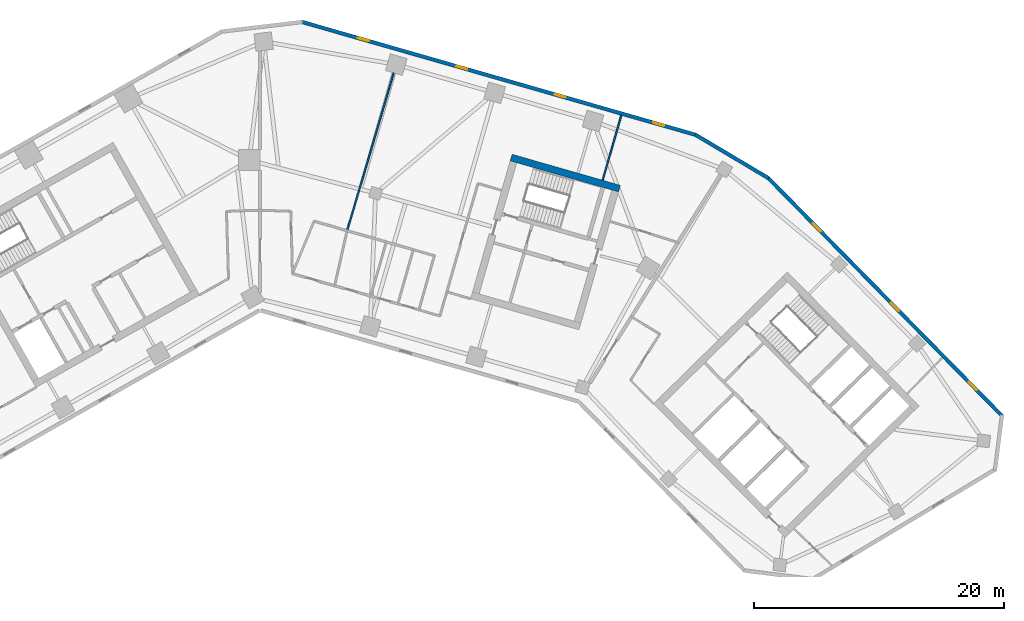
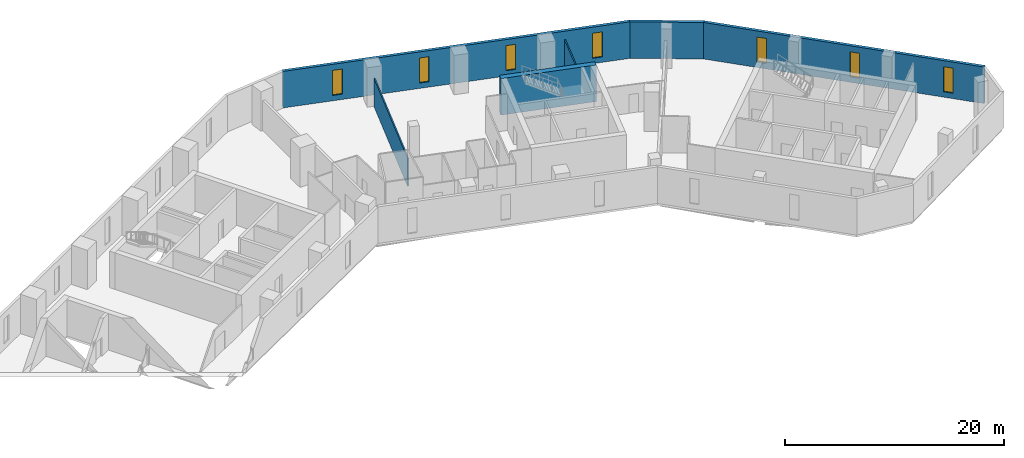
# One storey, part 7 of 10: 7 windows, 6 walls, 7 openings.
"""IFC4 building model written with IfcOpenShell, lengths in metres."""

from ifc_helpers import new_model, si_unit, direction, frame, frame_2d, origin, place, context, subcontext, project, spatial, rectangle, extrude, material, layer, layer_set, type_object, element, fill, save


model = new_model("IFC4")

# Units and contexts
model_context = context("Model", 3, precision=1e-05, world=origin(), true_north=direction((0.0, 1.0)))
body_context = subcontext(model_context, "Body", "Model", "MODEL_VIEW")
ifc_project = project(units=[si_unit("LENGTHUNIT", "METRE"), si_unit("AREAUNIT", "SQUARE_METRE"), si_unit("VOLUMEUNIT", "CUBIC_METRE"), si_unit("PLANEANGLEUNIT", "RADIAN"), si_unit("MASSUNIT", "GRAM", prefix="KILO")], contexts=[model_context])

# Site, building, storey
site_placement = place(None, origin())
site = spatial("IfcSite", under=ifc_project, at=site_placement, CompositionType="ELEMENT")
building_placement = place(site_placement, origin())
building = spatial("IfcBuilding", under=site, at=building_placement, Name="Binnacle Exchange Tower", CompositionType="ELEMENT")
storey_placement = place(building_placement, frame((0.0, 0.0, 110.300048828125)))
storey = spatial("IfcBuildingStorey", under=building, at=storey_placement, Name="L22", CompositionType="ELEMENT", Elevation=110.300048828125)

# Walls
ifc_material_1 = material(Name="Concrete C70/85", Category="concrete")
ifc_layer_1 = layer(ifc_material_1, 0.550048828125)
ifc_layer_set_1 = layer_set([ifc_layer_1], Name="Core wall - outer 550")
wall_type_1 = type_object("IfcWallType", Name="Core wall - outer 550", PredefinedType="SOLIDWALL", material=ifc_layer_set_1)
wall_1_placement = place(storey_placement, frame((20.059814453125, 60.20361328125, 0.0), z_axis=(0.0, 0.0, 1.0), x_axis=(0.96126248289, -0.275634611374, 0.0)))
element("IfcWall", 1, at=wall_1_placement, inside=storey, type_object=wall_type_1, Name="Core wall CRWD6", PredefinedType="SOLIDWALL", context=body_context, shape_type="SweptSolid", body=[
    extrude(rectangle(XDim=9.0, YDim=0.550048828125, at=frame_2d((4.5, 0.0))), origin(), (0.0, 0.0, 1.0), 4.079833984375),
])
ifc_material_2 = material(Name="Bronze aluminium cladding", Category="aluminium")
ifc_layer_2 = layer(ifc_material_2, 0.300048828125)
ifc_layer_set_2 = layer_set([ifc_layer_2], Name="External wall - spandrel 300")
wall_type_2 = type_object("IfcWallType", Name="External wall - spandrel 300", PredefinedType="STANDARD", material=ifc_layer_set_2)
wall_2_placement = place(storey_placement, frame((34.773193359375, 62.0341796875, 0.0), z_axis=(0.0, 0.0, 1.0), x_axis=(0.859401317772, -0.511301647769, 0.0)))
element("IfcWall", 2, at=wall_2_placement, inside=storey, type_object=wall_type_2, Name="External wall EW-F00 L22", PredefinedType="STANDARD", context=body_context, shape_type="SweptSolid", body=[
    extrude(rectangle(XDim=6.80810546875, YDim=0.300048828125, at=frame_2d((3.404052734375, 0.0))), origin(), (0.0, 0.0, 1.0), 4.079833984375),
])

# Wall, openings, windows
wall_3_placement = place(storey_placement, frame((3.33544921875, 71.043701171875, 0.0), z_axis=(0.0, 0.0, 1.0), x_axis=(0.961260130989, -0.275642813387, 0.0)))
wall_3 = element("IfcWall", 3, at=wall_3_placement, inside=storey, type_object=wall_type_2, Name="External wall EW-F01 L22", PredefinedType="STANDARD", context=body_context, shape_type="SweptSolid", body=[
    extrude(rectangle(XDim=32.7412109375, YDim=0.300048828125, at=frame_2d((16.37060546875, 0.0))), origin(), (0.0, 0.0, 1.0), 4.079833984375),
])
opening_1_placement = place(wall_3_placement, frame((29.20703125, 0.0, 0.60009765625)))
opening_1 = element("IfcOpeningElement", 4, at=opening_1_placement, cuts=wall_3, Name="Opening WS2", PredefinedType="OPENING", context=body_context, shape_type="SweptSolid", body=[
    extrude(rectangle(XDim=0.89990234375, YDim=2.800048828125, at=frame_2d((0.449951171875, 1.39990234375))), frame((0.0, 0.159912109375, 0.0), z_axis=(0.0, -1.0, 0.0), x_axis=(1.0, 0.0, 0.0)), (0.0, 0.0, 1.0), 0.320068359375),
])
opening_2_placement = place(wall_3_placement, frame((21.0341796875, 0.0, 0.60009765625)))
opening_2 = element("IfcOpeningElement", 5, at=opening_2_placement, cuts=wall_3, Name="Opening WS2", PredefinedType="OPENING", context=body_context, shape_type="SweptSolid", body=[
    extrude(rectangle(XDim=0.89990234375, YDim=2.800048828125, at=frame_2d((0.449951171875, 1.39990234375))), frame((0.0, 0.159912109375, 0.0), z_axis=(0.0, -1.0, 0.0), x_axis=(1.0, 0.0, 0.0)), (0.0, 0.0, 1.0), 0.320068359375),
])
opening_3_placement = place(wall_3_placement, frame((12.861083984375, 0.0, 0.60009765625)))
opening_3 = element("IfcOpeningElement", 6, at=opening_3_placement, cuts=wall_3, Name="Opening WS2", PredefinedType="OPENING", context=body_context, shape_type="SweptSolid", body=[
    extrude(rectangle(XDim=0.89990234375, YDim=2.800048828125, at=frame_2d((0.449951171875, 1.39990234375))), frame((0.0, 0.159912109375, 0.0), z_axis=(0.0, -1.0, 0.0), x_axis=(1.0, 0.0, 0.0)), (0.0, 0.0, 1.0), 0.320068359375),
])
opening_4_placement = place(wall_3_placement, frame((4.688232421875, 0.0, 0.60009765625)))
opening_4 = element("IfcOpeningElement", 7, at=opening_4_placement, cuts=wall_3, Name="Opening WS2", PredefinedType="OPENING", context=body_context, shape_type="SweptSolid", body=[
    extrude(rectangle(XDim=0.89990234375, YDim=2.800048828125, at=frame_2d((0.449951171875, 1.39990234375))), frame((0.0, 0.159912109375, 0.0), z_axis=(0.0, -1.0, 0.0), x_axis=(1.0, 0.0, 0.0)), (0.0, 0.0, 1.0), 0.320068359375),
])
ifc_material_3 = material(Name="Bronze anodised aluminium frame", Category="aluminium")
window_type = type_object("IfcWindowType", Name="WS2 WINDOW 900x2800", PartitioningType="SINGLE_PANEL", PredefinedType="WINDOW", material=ifc_material_3)
window_1_placement = place(opening_1_placement, origin())
window_1 = element("IfcWindow", 8, at=window_1_placement, inside=storey, type_object=window_type, Name="Window WS2 L22", OverallHeight=2.800048828125, OverallWidth=0.89990234375, PartitioningType="SINGLE_PANEL", PredefinedType="WINDOW", context=body_context, shape_type="SweptSolid", body=[
    extrude(rectangle(XDim=0.89990234375, YDim=2.800048828125, at=frame_2d((0.449951171875, 1.39990234375))), frame((0.0, 0.030029296875, 0.0), z_axis=(0.0, -1.0, 0.0), x_axis=(1.0, 0.0, 0.0)), (0.0, 0.0, 1.0), 0.06005859375),
])
fill(opening_1, window_1)
window_2_placement = place(opening_2_placement, origin())
window_2 = element("IfcWindow", 9, at=window_2_placement, inside=storey, type_object=window_type, Name="Window WS2 L22", OverallHeight=2.800048828125, OverallWidth=0.89990234375, PartitioningType="SINGLE_PANEL", PredefinedType="WINDOW", context=body_context, shape_type="SweptSolid", body=[
    extrude(rectangle(XDim=0.89990234375, YDim=2.800048828125, at=frame_2d((0.449951171875, 1.39990234375))), frame((0.0, 0.030029296875, 0.0), z_axis=(0.0, -1.0, 0.0), x_axis=(1.0, 0.0, 0.0)), (0.0, 0.0, 1.0), 0.06005859375),
])
fill(opening_2, window_2)
window_3_placement = place(opening_3_placement, origin())
window_3 = element("IfcWindow", 10, at=window_3_placement, inside=storey, type_object=window_type, Name="Window WS2 L22", OverallHeight=2.800048828125, OverallWidth=0.89990234375, PartitioningType="SINGLE_PANEL", PredefinedType="WINDOW", context=body_context, shape_type="SweptSolid", body=[
    extrude(rectangle(XDim=0.89990234375, YDim=2.800048828125, at=frame_2d((0.449951171875, 1.39990234375))), frame((0.0, 0.030029296875, 0.0), z_axis=(0.0, -1.0, 0.0), x_axis=(1.0, 0.0, 0.0)), (0.0, 0.0, 1.0), 0.06005859375),
])
fill(opening_3, window_3)
window_4_placement = place(opening_4_placement, origin())
window_4 = element("IfcWindow", 11, at=window_4_placement, inside=storey, type_object=window_type, Name="Window WS2 L22", OverallHeight=2.800048828125, OverallWidth=0.89990234375, PartitioningType="SINGLE_PANEL", PredefinedType="WINDOW", context=body_context, shape_type="SweptSolid", body=[
    extrude(rectangle(XDim=0.89990234375, YDim=2.800048828125, at=frame_2d((0.449951171875, 1.39990234375))), frame((0.0, 0.030029296875, 0.0), z_axis=(0.0, -1.0, 0.0), x_axis=(1.0, 0.0, 0.0)), (0.0, 0.0, 1.0), 0.06005859375),
])
fill(opening_4, window_4)

wall_4_placement = place(storey_placement, frame((40.59375, 58.576904296875, 0.0), z_axis=(0.0, 0.0, 1.0), x_axis=(0.700909719808, -0.713250001528, 0.0)))
wall_4 = element("IfcWall", 12, at=wall_4_placement, inside=storey, type_object=wall_type_2, Name="External wall EW-F13 L22", PredefinedType="STANDARD", context=body_context, shape_type="SweptSolid", body=[
    extrude(rectangle(XDim=26.70849609375, YDim=0.300048828125, at=frame_2d((13.354248046875, 0.0))), origin(), (0.0, 0.0, 1.0), 4.079833984375),
])
opening_5_placement = place(wall_4_placement, frame((22.8583984375, 0.0, 0.60009765625)))
opening_5 = element("IfcOpeningElement", 13, at=opening_5_placement, cuts=wall_4, Name="Opening WS2", PredefinedType="OPENING", context=body_context, shape_type="SweptSolid", body=[
    extrude(rectangle(XDim=0.89990234375, YDim=2.800048828125, at=frame_2d((0.449951171875, 1.39990234375))), frame((0.0, 0.159912109375, 0.0), z_axis=(0.0, -1.0, 0.0), x_axis=(1.0, 0.0, 0.0)), (0.0, 0.0, 1.0), 0.320068359375),
])
opening_6_placement = place(wall_4_placement, frame((13.986572265625, 0.0, 0.60009765625)))
opening_6 = element("IfcOpeningElement", 14, at=opening_6_placement, cuts=wall_4, Name="Opening WS2", PredefinedType="OPENING", context=body_context, shape_type="SweptSolid", body=[
    extrude(rectangle(XDim=0.89990234375, YDim=2.800048828125, at=frame_2d((0.449951171875, 1.39990234375))), frame((0.0, 0.159912109375, 0.0), z_axis=(0.0, -1.0, 0.0), x_axis=(1.0, 0.0, 0.0)), (0.0, 0.0, 1.0), 0.320068359375),
])
opening_7_placement = place(wall_4_placement, frame((5.114501953125, 0.0, 0.60009765625)))
opening_7 = element("IfcOpeningElement", 15, at=opening_7_placement, cuts=wall_4, Name="Opening WS2", PredefinedType="OPENING", context=body_context, shape_type="SweptSolid", body=[
    extrude(rectangle(XDim=0.89990234375, YDim=2.800048828125, at=frame_2d((0.449951171875, 1.39990234375))), frame((0.0, 0.159912109375, 0.0), z_axis=(0.0, -1.0, 0.0), x_axis=(1.0, 0.0, 0.0)), (0.0, 0.0, 1.0), 0.320068359375),
])
window_5_placement = place(opening_5_placement, origin())
window_5 = element("IfcWindow", 16, at=window_5_placement, inside=storey, type_object=window_type, Name="Window WS2 L22", OverallHeight=2.800048828125, OverallWidth=0.89990234375, PartitioningType="SINGLE_PANEL", PredefinedType="WINDOW", context=body_context, shape_type="SweptSolid", body=[
    extrude(rectangle(XDim=0.89990234375, YDim=2.800048828125, at=frame_2d((0.449951171875, 1.39990234375))), frame((0.0, 0.030029296875, 0.0), z_axis=(0.0, -1.0, 0.0), x_axis=(1.0, 0.0, 0.0)), (0.0, 0.0, 1.0), 0.06005859375),
])
fill(opening_5, window_5)
window_6_placement = place(opening_6_placement, origin())
window_6 = element("IfcWindow", 17, at=window_6_placement, inside=storey, type_object=window_type, Name="Window WS2 L22", OverallHeight=2.800048828125, OverallWidth=0.89990234375, PartitioningType="SINGLE_PANEL", PredefinedType="WINDOW", context=body_context, shape_type="SweptSolid", body=[
    extrude(rectangle(XDim=0.89990234375, YDim=2.800048828125, at=frame_2d((0.449951171875, 1.39990234375))), frame((0.0, 0.030029296875, 0.0), z_axis=(0.0, -1.0, 0.0), x_axis=(1.0, 0.0, 0.0)), (0.0, 0.0, 1.0), 0.06005859375),
])
fill(opening_6, window_6)
window_7_placement = place(opening_7_placement, origin())
window_7 = element("IfcWindow", 18, at=window_7_placement, inside=storey, type_object=window_type, Name="Window WS2 L22", OverallHeight=2.800048828125, OverallWidth=0.89990234375, PartitioningType="SINGLE_PANEL", PredefinedType="WINDOW", context=body_context, shape_type="SweptSolid", body=[
    extrude(rectangle(XDim=0.89990234375, YDim=2.800048828125, at=frame_2d((0.449951171875, 1.39990234375))), frame((0.0, 0.030029296875, 0.0), z_axis=(0.0, -1.0, 0.0), x_axis=(1.0, 0.0, 0.0)), (0.0, 0.0, 1.0), 0.06005859375),
])
fill(opening_7, window_7)

# Walls
ifc_material_4 = material(Name="Gypsum partition")
ifc_layer_3 = layer(ifc_material_4, 0.125)
ifc_layer_set_3 = layer_set([ifc_layer_3], Name="Partition 125")
wall_type_3 = type_object("IfcWallType", Name="Partition 125", PredefinedType="PARTITIONING", material=ifc_layer_set_3)
wall_5_placement = place(storey_placement, frame((6.966064453125, 54.362060546875, 0.0), z_axis=(0.0, 0.0, 1.0), x_axis=(0.283059793108, 0.959102264373, 0.0)))
element("IfcWall", 19, at=wall_5_placement, inside=storey, type_object=wall_type_3, Name="Partition W19", PredefinedType="PARTITIONING", context=body_context, shape_type="SweptSolid", body=[
    extrude(rectangle(XDim=13.135009765625, YDim=0.125, at=frame_2d((6.5673828125, 0.0))), origin(), (0.0, 0.0, 1.0), 3.141845703125),
])
wall_6_placement = place(storey_placement, frame((27.367919921875, 58.39404296875, 0.0), z_axis=(0.0, 0.0, 1.0), x_axis=(0.276295387056, 0.961072764722, 0.0)))
element("IfcWall", 20, at=wall_6_placement, inside=storey, type_object=wall_type_3, Name="Partition W33", PredefinedType="PARTITIONING", context=body_context, shape_type="SweptSolid", body=[
    extrude(rectangle(XDim=5.3857421875, YDim=0.125, at=frame_2d((2.69287109375, 0.0))), origin(), (0.0, 0.0, 1.0), 3.141845703125),
])

save(model, "model.ifc")
